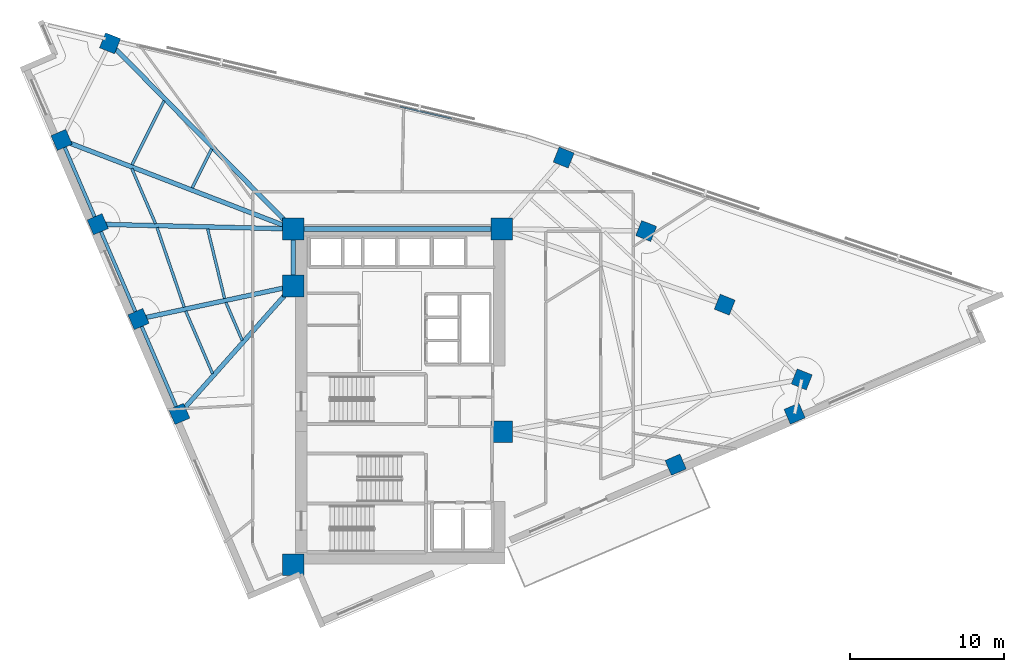
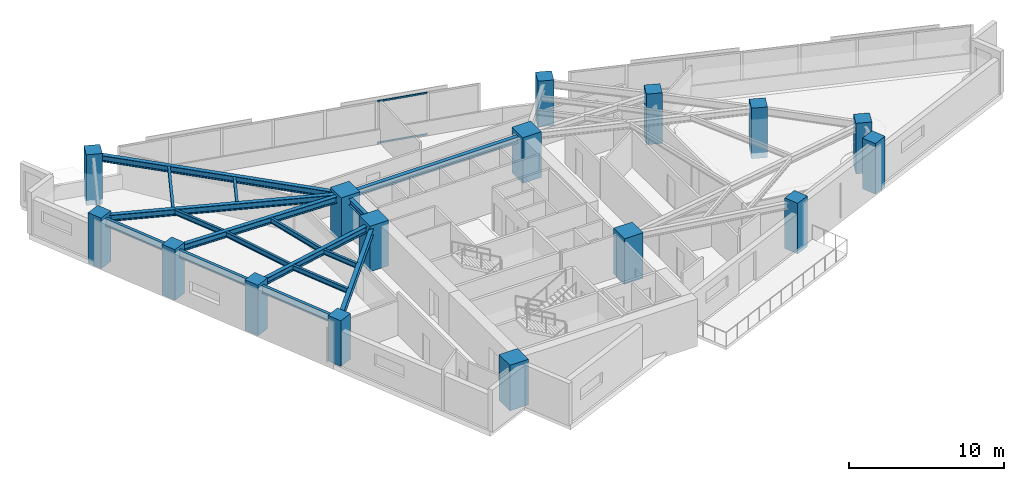
# One storey, part 1 of 13: 17 beams, 16 columns, 2 members, 1 element without a shape of its own.
"""IFC4 building model written with IfcOpenShell, lengths in metres."""

from ifc_helpers import new_model, si_unit, direction, frame, origin, origin_2d, place, context, subcontext, project, spatial, rectangle, hollow_rectangle, i_section, extrude, material, material_profile, profile_set, type_object, element, aggregate, save


model = new_model("IFC4")

# Units and contexts
model_context = context("Model", 3, precision=1e-05, world=origin(), true_north=direction((0.0, 1.0)))
body_context = subcontext(model_context, "Body", "Model", "MODEL_VIEW")
ifc_project = project(units=[si_unit("LENGTHUNIT", "METRE"), si_unit("AREAUNIT", "SQUARE_METRE"), si_unit("VOLUMEUNIT", "CUBIC_METRE"), si_unit("PLANEANGLEUNIT", "RADIAN"), si_unit("MASSUNIT", "GRAM", prefix="KILO")], contexts=[model_context])

# Site, building, storey
site_placement = place(None, origin())
site = spatial("IfcSite", under=ifc_project, at=site_placement, CompositionType="ELEMENT")
building_placement = place(site_placement, origin())
building = spatial("IfcBuilding", under=site, at=building_placement, Name="Narakoshi Arena Tower", CompositionType="ELEMENT")
storey_placement = place(building_placement, frame((0.0, 0.0, 164.699951171875)))
storey = spatial("IfcBuildingStorey", under=building, at=storey_placement, Name="L44", CompositionType="ELEMENT", Elevation=164.699951171875)

# Columns
ifc_material_1 = material(Name="Concrete C50/60", Category="concrete")
ifc_material_profile_1 = material_profile(ifc_material_1, rectangle(XDim=1.050048828125, YDim=1.050048828125, at=origin_2d()), Name="RC1050x1050")
ifc_profile_set_1 = profile_set([ifc_material_profile_1], Name="Concrete C50/60")
column_type_1 = type_object("IfcColumnType", Name="COL-RC1050", PredefinedType="COLUMN", material=ifc_profile_set_1)
for number, where, z_axis, x_axis, name in (
    (1, (96.830078125, 41.2001953125, -0.39990234375), (0.0, 0.0, 1.0), (0.918791210149, 0.394743856384, 0.0), "L44 Tower Perimeter Column TC02"),
    (2, (104.54931640625, 44.5166015625, -0.39990234375), (0.0, 0.0, 1.0), (0.918791210149, 0.394743856384, 0.0), "L44 Tower Perimeter Column TC03"),
    (3, (105.010009765625, 46.73876953125, -0.39990234375), (0.0, 0.0, 1.0), (0.37055743751, 0.928809552872, 0.0), "L44 Tower Perimeter Column TC05"),
    (4, (100.012939453125, 51.58544921875, -0.39990234375), (0.0, 0.0, 1.0), (0.37055743751, 0.928809552872, 0.0), "L44 Tower Perimeter Column TC06"),
    (5, (94.914794921875, 56.36669921875, -0.39990234375), (0.0, 0.0, 1.0), (0.37055743751, 0.928809552872, 0.0), "L44 Tower Perimeter Column TC07"),
):
    element("IfcColumn", number, at=place(storey_placement, frame(where, z_axis=z_axis, x_axis=x_axis)), inside=storey, type_object=column_type_1, Name=name, PredefinedType="COLUMN", context=body_context, shape_type="SweptSolid", body=[
        extrude(rectangle(XDim=1.050048828125, YDim=1.050048828125, at=origin_2d()), origin(), (0.0, 0.0, 1.0), 4.0),
    ])
column_1_placement = place(storey_placement, frame((89.5615234375, 61.134765625, 0.0), z_axis=(0.0, 0.0, 1.0), x_axis=(0.37055743751, 0.928809552872, 0.0)))
element("IfcColumn", 6, at=column_1_placement, inside=storey, type_object=column_type_1, Name="L44 Tower Perimeter Column TC08", PredefinedType="COLUMN", context=body_context, shape_type="SweptSolid", body=[
    extrude(rectangle(XDim=1.050048828125, YDim=1.050048828125, at=origin_2d()), origin(), (0.0, 0.0, 1.0), 3.60009765625),
])
for number, where, z_axis, x_axis, name in (
    (7, (60.12158203125, 68.55126953125, -0.39990234375), (0.0, 0.0, 1.0), (0.37055743751, 0.928809552872, 0.0), "L44 Tower Perimeter Column TC10"),
    (8, (56.9755859375, 62.278564453125, -0.39990234375), (0.0, 0.0, 1.0), (-0.394743856384, 0.918791210149, 0.0), "L44 Tower Perimeter Column TC13"),
    (9, (59.326171875, 56.807373046875, -0.39990234375), (0.0, 0.0, 1.0), (-0.394743856384, 0.918791210149, 0.0), "L44 Tower Perimeter Column TC14"),
    (10, (61.970458984375, 50.652587890625, -0.39990234375), (0.0, 0.0, 1.0), (-0.394743856384, 0.918791210149, 0.0), "L44 Tower Perimeter Column TC15"),
):
    element("IfcColumn", number, at=place(storey_placement, frame(where, z_axis=z_axis, x_axis=x_axis)), inside=storey, type_object=column_type_1, Name=name, PredefinedType="COLUMN", context=body_context, shape_type="SweptSolid", body=[
        extrude(rectangle(XDim=1.050048828125, YDim=1.050048828125, at=origin_2d()), origin(), (0.0, 0.0, 1.0), 4.0),
    ])
column_2_placement = place(storey_placement, frame((64.61474609375, 44.49755859375, 0.0), z_axis=(0.0, 0.0, 1.0), x_axis=(-0.394743856384, 0.918791210149, 0.0)))
element("IfcColumn", 11, at=column_2_placement, inside=storey, type_object=column_type_1, Name="L44 Tower Perimeter Column TC16", PredefinedType="COLUMN", context=body_context, shape_type="SweptSolid", body=[
    extrude(rectangle(XDim=1.050048828125, YDim=1.050048828125, at=origin_2d()), origin(), (0.0, 0.0, 1.0), 3.60009765625),
])
ifc_material_2 = material(Name="Concrete C60/75", Category="concrete")
ifc_material_profile_2 = material_profile(ifc_material_2, rectangle(XDim=1.39990234375, YDim=1.39990234375, at=origin_2d()), Name="RC1400x1400")
ifc_profile_set_2 = profile_set([ifc_material_profile_2], Name="Concrete C60/75")
column_type_2 = type_object("IfcColumnType", Name="COL-RC1400", PredefinedType="COLUMN", material=ifc_profile_set_2)
for number, where, z_axis, x_axis, name in (
    (12, (72.0, 34.699951171875, 0.0), (0.0, 0.0, 1.0), (1.0, 0.0, 0.0), "L44 Core Structural Column CC1"),
    (13, (85.550048828125, 43.35009765625, 0.0), (0.0, 0.0, 1.0), (1.0, 0.0, 0.0), "L44 Core Structural Column CC3"),
    (14, (72.0, 52.800048828125, 0.0), (0.0, 0.0, 1.0), (1.0, 0.0, 0.0), "L44 Core Structural Column CC4"),
    (15, (72.0, 56.5, 0.0), (0.0, 0.0, 1.0), (1.0, 0.0, 0.0), "L44 Core Structural Column CC5"),
    (16, (85.550048828125, 56.5, 0.0), (0.0, 0.0, 1.0), (1.0, 0.0, 0.0), "L44 Core Structural Column CC6"),
):
    element("IfcColumn", number, at=place(storey_placement, frame(where, z_axis=z_axis, x_axis=x_axis)), inside=storey, type_object=column_type_2, Name=name, PredefinedType="COLUMN", context=body_context, shape_type="SweptSolid", body=[
        extrude(rectangle(XDim=1.39990234375, YDim=1.39990234375, at=origin_2d()), origin(), (0.0, 0.0, 1.0), 3.60009765625),
    ])

# Beams
ifc_material_3 = material(Name="Structural steel S355J2", Category="steel")
ifc_material_profile_3 = material_profile(ifc_material_3, i_section(OverallWidth=0.219970703125, OverallDepth=0.60009765625, WebThickness=0.011962890625, FlangeThickness=0.01904296875, FilletRadius=0.02392578125, at=origin_2d()), Name="IPE600")
ifc_profile_set_3 = profile_set([ifc_material_profile_3], Name="Structural steel S355J2")
beam_type_1 = type_object("IfcBeamType", Name="BM-EDGE-600", PredefinedType="BEAM", material=ifc_profile_set_3)
beam_1_placement = place(storey_placement, frame((56.9755859375, 62.278564453125, 3.0400390625), z_axis=(0.394740539552, -0.918792635165, 0.0), x_axis=(0.918792635165, 0.394740539552, 0.0)))
element("IfcBeam", 17, at=beam_1_placement, inside=storey, type_object=beam_type_1, Name="L44 Perimeter Edge Girder 08", PredefinedType="BEAM", context=body_context, shape_type="SweptSolid", body=[
    extrude(i_section(OverallWidth=0.219970703125, OverallDepth=0.60009765625, WebThickness=0.011962890625, FlangeThickness=0.01904296875, FilletRadius=0.02392578125, at=origin_2d()), origin(), (0.0, 0.0, 1.0), 5.954833984375),
])
beam_2_placement = place(storey_placement, frame((59.326171875, 56.807373046875, 3.0400390625), z_axis=(0.394741679056, -0.9187921456, 0.0), x_axis=(0.9187921456, 0.394741679056, 0.0)))
element("IfcBeam", 18, at=beam_2_placement, inside=storey, type_object=beam_type_1, Name="L44 Perimeter Edge Girder 09", PredefinedType="BEAM", context=body_context, shape_type="SweptSolid", body=[
    extrude(i_section(OverallWidth=0.219970703125, OverallDepth=0.60009765625, WebThickness=0.011962890625, FlangeThickness=0.01904296875, FilletRadius=0.02392578125, at=origin_2d()), origin(), (0.0, 0.0, 1.0), 6.69873046875),
])
beam_3_placement = place(storey_placement, frame((61.970458984375, 50.652587890625, 3.0400390625), z_axis=(0.394728461185, -0.918797824296, 0.0), x_axis=(0.918797824296, 0.394728461185, 0.0)))
element("IfcBeam", 19, at=beam_3_placement, inside=storey, type_object=beam_type_1, Name="L44 Perimeter Edge Girder 10", PredefinedType="BEAM", context=body_context, shape_type="SweptSolid", body=[
    extrude(i_section(OverallWidth=0.219970703125, OverallDepth=0.60009765625, WebThickness=0.011962890625, FlangeThickness=0.01904296875, FilletRadius=0.02392578125, at=origin_2d()), origin(), (0.0, 0.0, 1.0), 6.698974609375),
])
ifc_material_profile_4 = material_profile(ifc_material_3, i_section(OverallWidth=0.300048828125, OverallDepth=0.5, WebThickness=0.014404296875, FlangeThickness=0.028076171875, FilletRadius=0.027099609375, at=origin_2d()), Name="HE500B")
ifc_profile_set_4 = profile_set([ifc_material_profile_4], Name="Structural steel S355J2")
beam_type_2 = type_object("IfcBeamType", Name="BM-PRI-500", PredefinedType="BEAM", material=ifc_profile_set_4)
beam_4_placement = place(storey_placement, frame((72.0, 56.5, 3.090087890625), z_axis=(-0.701980816252, 0.71219585341, 0.0), x_axis=(-0.71219585341, -0.701980816252, 0.0)))
element("IfcBeam", 20, at=beam_4_placement, inside=storey, type_object=beam_type_2, Name="L44 Radial Primary Floor Girder 07", PredefinedType="BEAM", context=body_context, shape_type="SweptSolid", body=[
    extrude(i_section(OverallWidth=0.300048828125, OverallDepth=0.5, WebThickness=0.014404296875, FlangeThickness=0.028076171875, FilletRadius=0.027099609375, at=origin_2d()), origin(), (0.0, 0.0, 1.0), 16.92138671875),
])
beam_5_placement = place(storey_placement, frame((72.0, 56.5, 3.090087890625), z_axis=(-0.933346778866, 0.35897603037, 0.0), x_axis=(-0.35897603037, -0.933346778866, 0.0)))
element("IfcBeam", 21, at=beam_5_placement, inside=storey, type_object=beam_type_2, Name="L44 Radial Primary Floor Girder 08", PredefinedType="BEAM", context=body_context, shape_type="SweptSolid", body=[
    extrude(i_section(OverallWidth=0.300048828125, OverallDepth=0.5, WebThickness=0.014404296875, FlangeThickness=0.028076171875, FilletRadius=0.027099609375, at=origin_2d()), origin(), (0.0, 0.0, 1.0), 16.097412109375),
])
beam_6_placement = place(storey_placement, frame((72.0, 56.5, 3.090087890625), z_axis=(-0.999706035824, 0.024245451901, 0.0), x_axis=(-0.024245451901, -0.999706035824, 0.0)))
element("IfcBeam", 22, at=beam_6_placement, inside=storey, type_object=beam_type_2, Name="L44 Radial Primary Floor Girder 09", PredefinedType="BEAM", context=body_context, shape_type="SweptSolid", body=[
    extrude(i_section(OverallWidth=0.300048828125, OverallDepth=0.5, WebThickness=0.014404296875, FlangeThickness=0.028076171875, FilletRadius=0.027099609375, at=origin_2d()), origin(), (0.0, 0.0, 1.0), 12.677490234375),
])
beam_7_placement = place(storey_placement, frame((72.0, 52.800048828125, 3.090087890625), z_axis=(-0.977836885657, -0.209368156721, 0.0), x_axis=(0.209368156721, -0.977836885657, 0.0)))
element("IfcBeam", 23, at=beam_7_placement, inside=storey, type_object=beam_type_2, Name="L44 Radial Primary Floor Girder 10", PredefinedType="BEAM", context=body_context, shape_type="SweptSolid", body=[
    extrude(i_section(OverallWidth=0.300048828125, OverallDepth=0.5, WebThickness=0.014404296875, FlangeThickness=0.028076171875, FilletRadius=0.027099609375, at=origin_2d()), origin(), (0.0, 0.0, 1.0), 10.2568359375),
])
beam_8_placement = place(storey_placement, frame((72.0, 52.800048828125, 3.090087890625), z_axis=(-0.664628360587, -0.747174104412, 0.0), x_axis=(0.747174104412, -0.664628360587, 0.0)))
element("IfcBeam", 24, at=beam_8_placement, inside=storey, type_object=beam_type_2, Name="L44 Radial Primary Floor Girder 11", PredefinedType="BEAM", context=body_context, shape_type="SweptSolid", body=[
    extrude(i_section(OverallWidth=0.300048828125, OverallDepth=0.5, WebThickness=0.014404296875, FlangeThickness=0.028076171875, FilletRadius=0.027099609375, at=origin_2d()), origin(), (0.0, 0.0, 1.0), 11.11181640625),
])
beam_9_placement = place(storey_placement, frame((72.0, 52.800048828125, 3.090087890625), z_axis=(0.0, 1.0, 0.0), x_axis=(-1.0, 0.0, 0.0)))
element("IfcBeam", 25, at=beam_9_placement, inside=storey, type_object=beam_type_2, Name="L44 Core Perimeter Frame Beam CC4-CC5", PredefinedType="BEAM", context=body_context, shape_type="SweptSolid", body=[
    extrude(i_section(OverallWidth=0.300048828125, OverallDepth=0.5, WebThickness=0.014404296875, FlangeThickness=0.028076171875, FilletRadius=0.027099609375, at=origin_2d()), origin(), (0.0, 0.0, 1.0), 3.699951171875),
])
beam_10_placement = place(storey_placement, frame((72.0, 56.5, 3.090087890625), z_axis=(1.0, 0.0, 0.0), x_axis=(0.0, 1.0, 0.0)))
element("IfcBeam", 26, at=beam_10_placement, inside=storey, type_object=beam_type_2, Name="L44 Core Perimeter Frame Beam CC5-CC6", PredefinedType="BEAM", context=body_context, shape_type="SweptSolid", body=[
    extrude(i_section(OverallWidth=0.300048828125, OverallDepth=0.5, WebThickness=0.014404296875, FlangeThickness=0.028076171875, FilletRadius=0.027099609375, at=origin_2d()), origin(), (0.0, 0.0, 1.0), 13.550048828125),
])
ifc_material_profile_5 = material_profile(ifc_material_3, i_section(OverallWidth=0.179931640625, OverallDepth=0.39990234375, WebThickness=0.008544921875, FlangeThickness=0.013427734375, FilletRadius=0.02099609375, at=origin_2d()), Name="IPE400")
ifc_profile_set_5 = profile_set([ifc_material_profile_5], Name="Structural steel S355J2")
beam_type_3 = type_object("IfcBeamType", Name="BM-SEC-400", PredefinedType="JOIST", material=ifc_profile_set_5)
beam_11_placement = place(storey_placement, frame((66.712890625, 61.681884765625, 3.14013671875), z_axis=(-0.4482876383, -0.893889363035, 0.0), x_axis=(0.893889363035, -0.4482876383, 0.0)))
element("IfcBeam", 27, at=beam_11_placement, inside=storey, type_object=beam_type_3, Name="L44 Composite Secondary Floor Joist 09", PredefinedType="JOIST", context=body_context, shape_type="SweptSolid", body=[
    extrude(i_section(OverallWidth=0.179931640625, OverallDepth=0.39990234375, WebThickness=0.008544921875, FlangeThickness=0.013427734375, FilletRadius=0.02099609375, at=origin_2d()), origin(), (0.0, 0.0, 1.0), 2.81787109375),
])
beam_12_placement = place(storey_placement, frame((63.624755859375, 64.815185546875, 3.14013671875), z_axis=(-0.448328152094, -0.893869044122, 0.0), x_axis=(0.893869044122, -0.448328152094, 0.0)))
element("IfcBeam", 28, at=beam_12_placement, inside=storey, type_object=beam_type_3, Name="L44 Composite Secondary Floor Joist 10", PredefinedType="JOIST", context=body_context, shape_type="SweptSolid", body=[
    extrude(i_section(OverallWidth=0.179931640625, OverallDepth=0.39990234375, WebThickness=0.008544921875, FlangeThickness=0.013427734375, FilletRadius=0.02099609375, at=origin_2d()), origin(), (0.0, 0.0, 1.0), 4.642333984375),
])
beam_13_placement = place(storey_placement, frame((61.5361328125, 60.4208984375, 3.14013671875), z_axis=(0.394735448543, -0.918794822397, 0.0), x_axis=(0.918794822397, 0.394735448543, 0.0)))
element("IfcBeam", 29, at=beam_13_placement, inside=storey, type_object=beam_type_3, Name="L44 Composite Secondary Floor Joist 11", PredefinedType="JOIST", context=body_context, shape_type="SweptSolid", body=[
    extrude(i_section(OverallWidth=0.179931640625, OverallDepth=0.39990234375, WebThickness=0.008544921875, FlangeThickness=0.013427734375, FilletRadius=0.02099609375, at=origin_2d()), origin(), (0.0, 0.0, 1.0), 3.8984375),
])
beam_14_placement = place(storey_placement, frame((66.455322265625, 56.504150390625, 3.14013671875), z_axis=(0.236539147599, -0.971621959228, 0.0), x_axis=(0.971621959228, 0.236539147599, 0.0)))
element("IfcBeam", 30, at=beam_14_placement, inside=storey, type_object=beam_type_3, Name="L44 Composite Secondary Floor Joist 12", PredefinedType="JOIST", context=body_context, shape_type="SweptSolid", body=[
    extrude(i_section(OverallWidth=0.179931640625, OverallDepth=0.39990234375, WebThickness=0.008544921875, FlangeThickness=0.013427734375, FilletRadius=0.02099609375, at=origin_2d()), origin(), (0.0, 0.0, 1.0), 4.649658203125),
])
beam_15_placement = place(storey_placement, frame((63.171875, 56.58740234375, 3.14013671875), z_axis=(0.323307083537, -0.946294103191, 0.0), x_axis=(0.946294103191, 0.323307083537, 0.0)))
element("IfcBeam", 31, at=beam_15_placement, inside=storey, type_object=beam_type_3, Name="L44 Composite Secondary Floor Joist 13", PredefinedType="JOIST", context=body_context, shape_type="SweptSolid", body=[
    extrude(i_section(OverallWidth=0.179931640625, OverallDepth=0.39990234375, WebThickness=0.008544921875, FlangeThickness=0.013427734375, FilletRadius=0.02099609375, at=origin_2d()), origin(), (0.0, 0.0, 1.0), 5.455810546875),
])
beam_16_placement = place(storey_placement, frame((67.640380859375, 51.731201171875, 3.14013671875), z_axis=(0.394711461419, -0.918805127448, 0.0), x_axis=(0.918805127448, 0.394711461419, 0.0)))
element("IfcBeam", 32, at=beam_16_placement, inside=storey, type_object=beam_type_3, Name="L44 Composite Secondary Floor Joist 14", PredefinedType="JOIST", context=body_context, shape_type="SweptSolid", body=[
    extrude(i_section(OverallWidth=0.179931640625, OverallDepth=0.39990234375, WebThickness=0.008544921875, FlangeThickness=0.013427734375, FilletRadius=0.02099609375, at=origin_2d()), origin(), (0.0, 0.0, 1.0), 2.677734375),
])
beam_17_placement = place(storey_placement, frame((65.03271484375, 51.172607421875, 3.14013671875), z_axis=(0.39473259388, -0.918796048821, 0.0), x_axis=(0.918796048821, 0.39473259388, 0.0)))
element("IfcBeam", 33, at=beam_17_placement, inside=storey, type_object=beam_type_3, Name="L44 Composite Secondary Floor Joist 15", PredefinedType="JOIST", context=body_context, shape_type="SweptSolid", body=[
    extrude(i_section(OverallWidth=0.179931640625, OverallDepth=0.39990234375, WebThickness=0.008544921875, FlangeThickness=0.013427734375, FilletRadius=0.02099609375, at=origin_2d()), origin(), (0.0, 0.0, 1.0), 4.419189453125),
])

# Curtain wall, members
ifc_material_4 = material(Name="Anodised bronze aluminium 6063-T6", Category="aluminium")
curtain_wall_type = type_object("IfcCurtainWallType", Name="CW-HYP-MID", PredefinedType="NOTDEFINED", material=ifc_material_4)
curtain_wall_placement = place(storey_placement, origin())
curtain_wall = element("IfcCurtainWall", 34, at=curtain_wall_placement, inside=storey, type_object=curtain_wall_type, Name="L44 Folded Hypotenuse Curtain Wall 2-1", PredefinedType="NOTDEFINED")
ifc_material_profile_6 = material_profile(ifc_material_4, hollow_rectangle(XDim=0.06494140625, YDim=0.1298828125, WallThickness=0.00390625, OuterFilletRadius=0.0048828125, at=origin_2d()), Name="TRN130x65x4")
ifc_profile_set_6 = profile_set([ifc_material_profile_6], Name="Anodised bronze aluminium 6063-T6")
member_type = type_object("IfcMemberType", Name="MEM-TRN-130", PredefinedType="USERDEFINED", material=ifc_profile_set_6)
member_1_placement = place(storey_placement, frame((82.27587890625, 63.6611328125, 0.032470703125), z_axis=(-0.973960713384, 0.226716847155, 0.0), x_axis=(-0.226716847155, -0.973960713384, 0.0)))
member_1 = element("IfcMember", 35, at=member_1_placement, type_object=member_type, Name="CW-02 transom 2.1", ObjectType="TRANSOM", PredefinedType="USERDEFINED", context=body_context, shape_type="SweptSolid", body=[
    extrude(hollow_rectangle(XDim=0.06494140625, YDim=0.1298828125, WallThickness=0.00390625, OuterFilletRadius=0.0048828125, at=origin_2d()), origin(), (0.0, 0.0, 1.0), 3.416748046875),
])
member_2_placement = place(storey_placement, frame((82.27587890625, 63.6611328125, 3.3076171875), z_axis=(-0.973960713384, 0.226716847155, 0.0), x_axis=(-0.226716847155, -0.973960713384, 0.0)))
member_2 = element("IfcMember", 36, at=member_2_placement, type_object=member_type, Name="CW-02 transom 2.2", ObjectType="TRANSOM", PredefinedType="USERDEFINED", context=body_context, shape_type="SweptSolid", body=[
    extrude(hollow_rectangle(XDim=0.06494140625, YDim=0.1298828125, WallThickness=0.00390625, OuterFilletRadius=0.0048828125, at=origin_2d()), origin(), (0.0, 0.0, 1.0), 3.416748046875),
])
aggregate(curtain_wall, [member_1, member_2])

save(model, "model.ifc")
